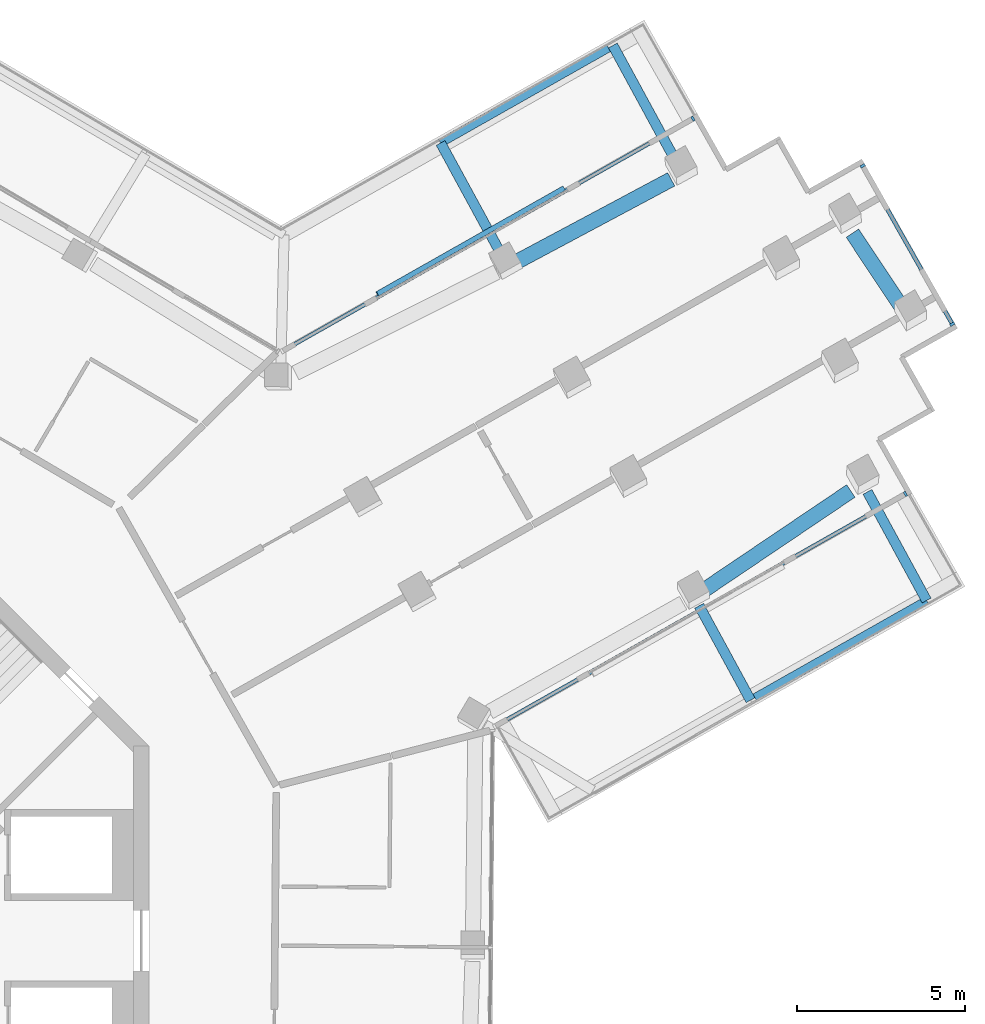
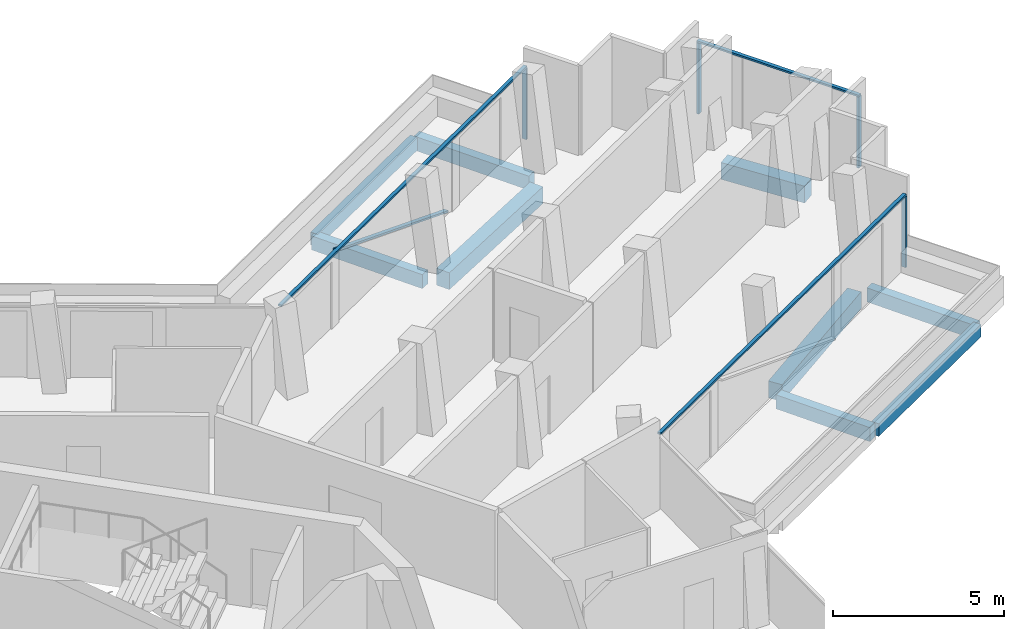
# One storey, part 10 of 24: 9 beams, 8 members, 3 elements without a shape of their own.
"""IFC4 building model written with IfcOpenShell, lengths in metres."""

from ifc_helpers import new_model, si_unit, direction, frame, origin, origin_2d, place, context, subcontext, project, spatial, rectangle, extrude, material, layer, layer_set, material_profile, profile_set, type_object, element, aggregate, save


model = new_model("IFC4")

# Units and contexts
model_context = context("Model", 3, precision=1e-05, world=origin(), true_north=direction((0.0, 1.0)))
body_context = subcontext(model_context, "Body", "Model", "MODEL_VIEW")
ifc_project = project(units=[si_unit("LENGTHUNIT", "METRE"), si_unit("AREAUNIT", "SQUARE_METRE"), si_unit("VOLUMEUNIT", "CUBIC_METRE"), si_unit("PLANEANGLEUNIT", "RADIAN"), si_unit("MASSUNIT", "GRAM", prefix="KILO")], contexts=[model_context])

# Site, building, storey
site_placement = place(None, origin())
site = spatial("IfcSite", under=ifc_project, at=site_placement, CompositionType="ELEMENT")
building_placement = place(site_placement, origin())
building = spatial("IfcBuilding", under=site, at=building_placement, Name="Verdalira Terraces Hotel", CompositionType="ELEMENT")
storey_placement = place(building_placement, frame((0.0, 0.0, 277.5)))
storey = spatial("IfcBuildingStorey", under=building, at=storey_placement, Name="L68", CompositionType="ELEMENT", Elevation=277.5)

# Beams
ifc_material_1 = material(Name="Concrete C40", Category="concrete")
ifc_material_profile_1 = material_profile(ifc_material_1, rectangle(XDim=0.300049, YDim=0.5, at=origin_2d()), Name="RC 300X500")
ifc_profile_set_1 = profile_set([ifc_material_profile_1], Name="Concrete C40")
beam_type_1 = type_object("IfcBeamType", Name="Balcony cantilever beam RC 300X500 C40", PredefinedType="BEAM", material=ifc_profile_set_1)
beam_1_placement = place(storey_placement, frame((30.399414, 9.977783, -0.560059), z_axis=(0.4780886, -0.878311614, 0.0), x_axis=(0.878311614, 0.4780886, 0.0)))
element("IfcBeam", 1, at=beam_1_placement, inside=storey, type_object=beam_type_1, Name="Balcony cantilever beam R28-2", PredefinedType="BEAM", context=body_context, shape_type="SweptSolid", body=[
    extrude(rectangle(XDim=0.300049, YDim=0.5, at=origin_2d()), origin(), (0.0, 0.0, 1.0), 3.204346),
])
beam_2_placement = place(storey_placement, frame((35.415283, 13.371094, -0.560059), z_axis=(0.478100142, -0.878305331, 0.0), x_axis=(0.878305331, 0.478100142, 0.0)))
element("IfcBeam", 2, at=beam_2_placement, inside=storey, type_object=beam_type_1, Name="Balcony cantilever beam R28-3", PredefinedType="BEAM", context=body_context, shape_type="SweptSolid", body=[
    extrude(rectangle(XDim=0.300049, YDim=0.5, at=origin_2d()), origin(), (0.0, 0.0, 1.0), 3.685791),
])
beam_3_placement = place(storey_placement, frame((29.710205, 23.218262, -0.560059), z_axis=(-0.47806086, 0.878326713, 0.0), x_axis=(-0.878326713, -0.47806086, 0.0)))
element("IfcBeam", 3, at=beam_3_placement, inside=storey, type_object=beam_type_1, Name="Balcony cantilever beam R38-4", PredefinedType="BEAM", context=body_context, shape_type="SweptSolid", body=[
    extrude(rectangle(XDim=0.300049, YDim=0.5, at=origin_2d()), origin(), (0.0, 0.0, 1.0), 3.935303),
])
beam_4_placement = place(storey_placement, frame((24.511719, 20.433838, -0.560059), z_axis=(-0.478113159, 0.878298245, 0.0), x_axis=(-0.878298245, -0.478113159, 0.0)))
element("IfcBeam", 4, at=beam_4_placement, inside=storey, type_object=beam_type_1, Name="Balcony cantilever beam R38-5", PredefinedType="BEAM", context=body_context, shape_type="SweptSolid", body=[
    extrude(rectangle(XDim=0.300049, YDim=0.5, at=origin_2d()), origin(), (0.0, 0.0, 1.0), 3.797119),
])
ifc_material_2 = material(Name="Concrete C40", Category="concrete")
ifc_material_profile_2 = material_profile(ifc_material_2, rectangle(XDim=0.25, YDim=0.449951, at=origin_2d()), Name="RC 250X450")
ifc_profile_set_2 = profile_set([ifc_material_profile_2], Name="Concrete C40")
beam_type_2 = type_object("IfcBeamType", Name="Balcony edge beam RC 250X450 C40", PredefinedType="BEAM", material=ifc_profile_set_2)
beam_5_placement = place(storey_placement, frame((32.062012, 7.237305, -0.534912), z_axis=(0.870188992, 0.492718093, 0.0), x_axis=(-0.492718093, 0.870188992, 0.0)))
element("IfcBeam", 5, at=beam_5_placement, inside=storey, type_object=beam_type_2, Name="Balcony edge beam R28-2", PredefinedType="BEAM", context=body_context, shape_type="SweptSolid", body=[
    extrude(rectangle(XDim=0.25, YDim=0.449951, at=origin_2d()), origin(), (0.0, 0.0, 1.0), 5.878662),
])
beam_6_placement = place(storey_placement, frame((27.698242, 26.601074, -0.534912), z_axis=(-0.870183672, -0.492727488, 0.0), x_axis=(0.492727488, -0.870183672, 0.0)))
element("IfcBeam", 6, at=beam_6_placement, inside=storey, type_object=beam_type_2, Name="Balcony edge beam R38-3", PredefinedType="BEAM", context=body_context, shape_type="SweptSolid", body=[
    extrude(rectangle(XDim=0.25, YDim=0.449951, at=origin_2d()), origin(), (0.0, 0.0, 1.0), 5.748047),
])

# Curtain wall, member
ifc_material_3 = material(Name="Clear glass", Category="glass")
ifc_layer_1 = layer(ifc_material_3, 0.14990234375)
ifc_layer_set_1 = layer_set([ifc_layer_1], Name="CW2 curtain wall")
curtain_wall_type_1 = type_object("IfcCurtainWallType", Name="CW2 curtain wall", PredefinedType="NOTDEFINED", material=ifc_layer_set_1)
curtain_wall_1_placement = place(storey_placement, origin())
curtain_wall_1 = element("IfcCurtainWall", 7, at=curtain_wall_1_placement, inside=storey, type_object=curtain_wall_type_1, Name="CW2 curtain wall L68 edge 28", PredefinedType="NOTDEFINED")
ifc_material_4 = material(Name="Terracotta frame", Category="masonry")
ifc_material_profile_3 = material_profile(ifc_material_4, rectangle(XDim=0.070068, YDim=0.149902, at=origin_2d()), Name="MU 70x150")
ifc_profile_set_3 = profile_set([ifc_material_profile_3], Name="Terracotta frame")
member_type_1 = type_object("IfcMemberType", Name="CW2 mullion 70x150", PredefinedType="MULLION", material=ifc_profile_set_3)
member_1_placement = place(storey_placement, frame((36.547119, 13.310791, 0.0), z_axis=(0.0, 0.0, 1.0), x_axis=(0.870183755, 0.492727342, 0.0)))
member_1 = element("IfcMember", 8, at=member_1_placement, type_object=member_type_1, Name="CW2 mullion", PredefinedType="MULLION", context=body_context, shape_type="SweptSolid", body=[
    extrude(rectangle(XDim=0.070068, YDim=0.149902, at=origin_2d()), origin(), (0.0, 0.0, 1.0), 2.524902),
])

curtain_wall_2_placement = place(storey_placement, origin())
curtain_wall_2 = element("IfcCurtainWall", 9, at=curtain_wall_2_placement, inside=storey, type_object=curtain_wall_type_1, Name="CW2 curtain wall L68 edge 38", PredefinedType="NOTDEFINED")
member_2_placement = place(storey_placement, frame((30.215576, 24.492676, 0.0), z_axis=(0.0, 0.0, 1.0), x_axis=(-0.870183755, -0.492727342, 0.0)))
member_2 = element("IfcMember", 10, at=member_2_placement, type_object=member_type_1, Name="CW2 mullion", PredefinedType="MULLION", context=body_context, shape_type="SweptSolid", body=[
    extrude(rectangle(XDim=0.070068, YDim=0.149902, at=origin_2d()), origin(), (0.0, 0.0, 1.0), 2.524902),
])

# Member
ifc_material_5 = material(Name="Terracotta frame", Category="masonry")
ifc_material_profile_4 = material_profile(ifc_material_5, rectangle(XDim=0.11499, YDim=0.064941, at=origin_2d()), Name="TR 65x115")
ifc_profile_set_4 = profile_set([ifc_material_profile_4], Name="Terracotta frame")
member_type_2 = type_object("IfcMemberType", Name="CW2 transom 65x115", PredefinedType="USERDEFINED", material=ifc_profile_set_4)
member_3_placement = place(storey_placement, frame((24.274902, 6.361816, 2.557617), z_axis=(0.870181142, 0.492731956, 0.0), x_axis=(-0.492731956, 0.870181142, 0.0)))
member_3 = element("IfcMember", 11, at=member_3_placement, type_object=member_type_2, Name="CW2 transom", ObjectType="TRANSOM", PredefinedType="USERDEFINED", context=body_context, shape_type="SweptSolid", body=[
    extrude(rectangle(XDim=0.11499, YDim=0.064941, at=origin_2d()), origin(), (0.0, 0.0, 1.0), 14.138184),
])

aggregate(curtain_wall_1, [member_1, member_3])

member_4_placement = place(storey_placement, frame((30.246094, 24.509766, 2.557617), z_axis=(-0.870188546, -0.49271888, 0.0), x_axis=(0.49271888, -0.870188546, 0.0)))
member_4 = element("IfcMember", 12, at=member_4_placement, type_object=member_type_2, Name="CW2 transom", ObjectType="TRANSOM", PredefinedType="USERDEFINED", context=body_context, shape_type="SweptSolid", body=[
    extrude(rectangle(XDim=0.11499, YDim=0.064941, at=origin_2d()), origin(), (0.0, 0.0, 1.0), 14.137939),
])

# Curtain wall, members
ifc_material_6 = material(Name="Clear glass", Category="glass")
ifc_layer_2 = layer(ifc_material_6, 0.14990234375)
ifc_layer_set_2 = layer_set([ifc_layer_2], Name="CW3 curtain wall")
curtain_wall_type_2 = type_object("IfcCurtainWallType", Name="CW3 curtain wall", PredefinedType="NOTDEFINED", material=ifc_layer_set_2)
curtain_wall_3_placement = place(storey_placement, origin())
curtain_wall_3 = element("IfcCurtainWall", 13, at=curtain_wall_3_placement, inside=storey, type_object=curtain_wall_type_2, Name="CW3 curtain wall L68 edge 33", PredefinedType="NOTDEFINED")
ifc_material_7 = material(Name="Terracotta frame", Category="masonry")
ifc_material_profile_5 = material_profile(ifc_material_7, rectangle(XDim=0.080078, YDim=0.149902, at=origin_2d()), Name="MU 80x150")
ifc_profile_set_5 = profile_set([ifc_material_profile_5], Name="Terracotta frame")
member_type_3 = type_object("IfcMemberType", Name="CW3 mullion 80x150", PredefinedType="MULLION", material=ifc_profile_set_5)
member_5_placement = place(storey_placement, frame((37.945068, 18.371582, 0.0), z_axis=(0.0, 0.0, 1.0), x_axis=(-0.492727342, 0.870183755, 0.0)))
member_5 = element("IfcMember", 14, at=member_5_placement, type_object=member_type_3, Name="CW3 mullion", PredefinedType="MULLION", context=body_context, shape_type="SweptSolid", body=[
    extrude(rectangle(XDim=0.080078, YDim=0.149902, at=origin_2d()), origin(), (0.0, 0.0, 1.0), 2.524902),
])
member_6_placement = place(storey_placement, frame((35.274658, 23.087891, 0.0), z_axis=(0.0, 0.0, 1.0), x_axis=(-0.492727342, 0.870183755, 0.0)))
member_6 = element("IfcMember", 15, at=member_6_placement, type_object=member_type_3, Name="CW3 mullion", PredefinedType="MULLION", context=body_context, shape_type="SweptSolid", body=[
    extrude(rectangle(XDim=0.080078, YDim=0.149902, at=origin_2d()), origin(), (0.0, 0.0, 1.0), 2.524902),
])
ifc_material_8 = material(Name="Terracotta frame", Category="masonry")
ifc_material_profile_6 = material_profile(ifc_material_8, rectangle(XDim=0.120117, YDim=0.064941, at=origin_2d()), Name="TR 65x120")
ifc_profile_set_6 = profile_set([ifc_material_profile_6], Name="Terracotta frame")
member_type_4 = type_object("IfcMemberType", Name="CW3 transom 65x120", PredefinedType="USERDEFINED", material=ifc_profile_set_6)
member_7_placement = place(storey_placement, frame((37.964844, 18.33667, 2.557617), z_axis=(-0.492712388, 0.870192222, 0.0), x_axis=(-0.870192222, -0.492712388, 0.0)))
member_7 = element("IfcMember", 16, at=member_7_placement, type_object=member_type_4, Name="CW3 transom", ObjectType="TRANSOM", PredefinedType="USERDEFINED", context=body_context, shape_type="SweptSolid", body=[
    extrude(rectangle(XDim=0.120117, YDim=0.064941, at=origin_2d()), origin(), (0.0, 0.0, 1.0), 5.5),
])
aggregate(curtain_wall_3, [member_5, member_6, member_7])

# Member
ifc_material_9 = material(Name="Terracotta frame", Category="masonry")
ifc_material_profile_7 = material_profile(ifc_material_9, rectangle(XDim=0.149902, YDim=0.060059, at=origin_2d()), Name="GB 60x150")
ifc_profile_set_7 = profile_set([ifc_material_profile_7], Name="Terracotta frame")
member_type_5 = type_object("IfcMemberType", Name="Diagonal glazing bar 60x150", PredefinedType="USERDEFINED", material=ifc_profile_set_7)
member_8_placement = place(storey_placement, frame((26.368652, 22.418945, 0.028809), z_axis=(-0.811748119, -0.459644842, 0.360266027), x_axis=(0.492731989, -0.870181123, 0.0)))
member_8 = element("IfcMember", 17, at=member_8_placement, type_object=member_type_5, Name="Diagonal glazing bar", ObjectType="GLAZING BAR", PredefinedType="USERDEFINED", context=body_context, shape_type="SweptSolid", body=[
    extrude(rectangle(XDim=0.149902, YDim=0.060059, at=origin_2d()), origin(), (0.0, 0.0, 1.0), 6.849121),
])

aggregate(curtain_wall_2, [member_2, member_4, member_8])

# Beams
ifc_material_10 = material(Name="Concrete C40", Category="concrete")
ifc_material_profile_8 = material_profile(ifc_material_10, rectangle(XDim=0.449951, YDim=0.600098, at=origin_2d()), Name="RC 450X600")
ifc_profile_set_8 = profile_set([ifc_material_profile_8], Name="Concrete C40")
beam_type_3 = type_object("IfcBeamType", Name="Spandrel beam RC 450X600 C40", PredefinedType="SPANDREL", material=ifc_profile_set_8)
beam_7_placement = place(storey_placement, frame((30.547607, 10.446777, -0.610107), z_axis=(0.8289329, 0.559348056, 0.0), x_axis=(-0.559348056, 0.8289329, 0.0)))
element("IfcBeam", 18, at=beam_7_placement, inside=storey, type_object=beam_type_3, Name="Spandrel beam B20", PredefinedType="SPANDREL", context=body_context, shape_type="SweptSolid", body=[
    extrude(rectangle(XDim=0.449951, YDim=0.600098, at=origin_2d()), origin(), (0.0, 0.0, 1.0), 5.275146),
])
beam_8_placement = place(storey_placement, frame((36.481445, 18.806396, -0.610107), z_axis=(-0.55373004, 0.832696249, 0.0), x_axis=(-0.832696249, -0.55373004, 0.0)))
element("IfcBeam", 19, at=beam_8_placement, inside=storey, type_object=beam_type_3, Name="Spandrel beam B21", PredefinedType="SPANDREL", context=body_context, shape_type="SweptSolid", body=[
    extrude(rectangle(XDim=0.449951, YDim=0.600098, at=origin_2d()), origin(), (0.0, 0.0, 1.0), 2.730469),
])
beam_9_placement = place(storey_placement, frame((29.568359, 22.684814, -0.610107), z_axis=(-0.882210531, -0.470855158, 0.0), x_axis=(0.470855158, -0.882210531, 0.0)))
element("IfcBeam", 20, at=beam_9_placement, inside=storey, type_object=beam_type_3, Name="Spandrel beam B22", PredefinedType="SPANDREL", context=body_context, shape_type="SweptSolid", body=[
    extrude(rectangle(XDim=0.449951, YDim=0.600098, at=origin_2d()), origin(), (0.0, 0.0, 1.0), 5.174072),
])

save(model, "model.ifc")
